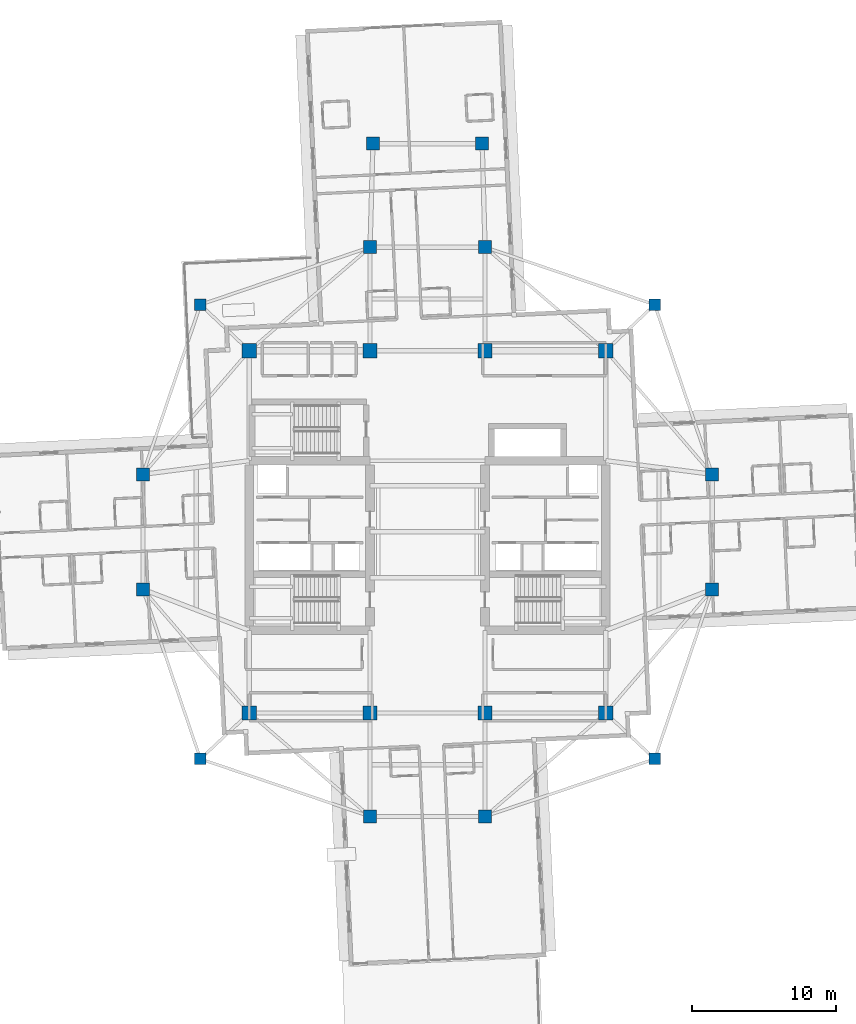
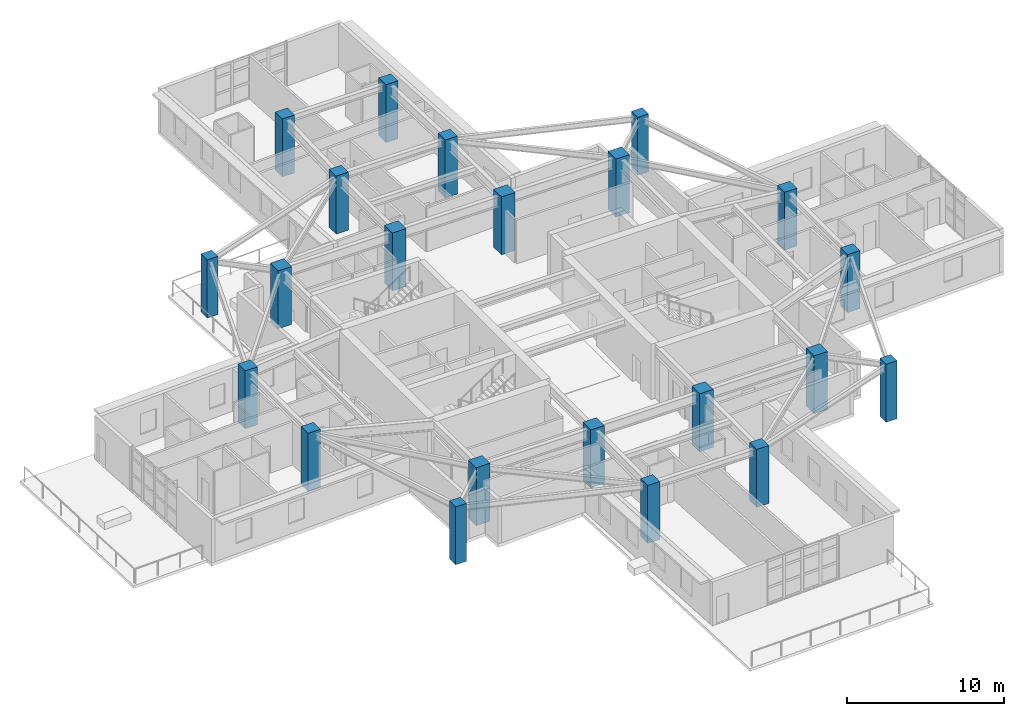
# One storey, part 1 of 22: 22 columns.
"""IFC4 building model written with IfcOpenShell, lengths in metres."""

from ifc_helpers import new_model, si_unit, direction, frame, origin, origin_2d, place, context, subcontext, project, spatial, rectangle, extrude, material, material_profile, profile_set, type_object, element, save


model = new_model("IFC4")

# Units and contexts
model_context = context("Model", 3, precision=1e-05, world=origin(), true_north=direction((0.0, 1.0)))
body_context = subcontext(model_context, "Body", "Model", "MODEL_VIEW")
ifc_project = project(units=[si_unit("LENGTHUNIT", "METRE"), si_unit("AREAUNIT", "SQUARE_METRE"), si_unit("VOLUMEUNIT", "CUBIC_METRE"), si_unit("PLANEANGLEUNIT", "RADIAN"), si_unit("MASSUNIT", "GRAM", prefix="KILO")], contexts=[model_context])

# Site, building, storey
site_placement = place(None, origin())
site = spatial("IfcSite", under=ifc_project, at=site_placement, CompositionType="ELEMENT")
building_placement = place(site_placement, origin())
building = spatial("IfcBuilding", under=site, at=building_placement, Name="Qingluan Cross Belvedere", CompositionType="ELEMENT")
storey_placement = place(building_placement, frame((0.0, 0.0, 196.800048828125)))
storey = spatial("IfcBuildingStorey", under=building, at=storey_placement, Name="L49", CompositionType="ELEMENT", Elevation=196.800048828125)

# Columns
ifc_material_1 = material(Name="Concrete C50", Category="concrete")
ifc_material_profile_1 = material_profile(ifc_material_1, rectangle(XDim=1.0, YDim=1.0, at=origin_2d()), Name="RC1000x1000")
ifc_profile_set_1 = profile_set([ifc_material_profile_1], Name="Concrete C50")
column_type_1 = type_object("IfcColumnType", Name="Column_RC1000x1000", PredefinedType="COLUMN", material=ifc_profile_set_1)
for number, where, z_axis, x_axis, name in (
    (1, (-12.39990234375, -12.60009765625, 0.0), (0.0, 0.0, 1.0), (1.0, 0.0, 0.0), "Hub column L49-HC1"),
    (2, (12.39990234375, -12.60009765625, 0.0), (0.0, 0.0, 1.0), (1.0, 0.0, 0.0), "Hub column L49-HC2"),
    (3, (12.39990234375, 12.60009765625, 0.0), (0.0, 0.0, 1.0), (1.0, 0.0, 0.0), "Hub column L49-HC3"),
    (4, (-12.39990234375, 12.60009765625, 0.0), (0.0, 0.0, 1.0), (1.0, 0.0, 0.0), "Hub column L49-HC4"),
    (5, (-4.0, -12.60009765625, 0.0), (0.0, 0.0, 1.0), (1.0, 0.0, 0.0), "Hub column L49-HC5"),
    (6, (4.0, -12.60009765625, 0.0), (0.0, 0.0, 1.0), (1.0, 0.0, 0.0), "Hub column L49-HC6"),
    (7, (4.0, 12.60009765625, 0.0), (0.0, 0.0, 1.0), (1.0, 0.0, 0.0), "Hub column L49-HC7"),
    (8, (-4.0, 12.60009765625, 0.0), (0.0, 0.0, 1.0), (1.0, 0.0, 0.0), "Hub column L49-HC8"),
):
    element("IfcColumn", number, at=place(storey_placement, frame(where, z_axis=z_axis, x_axis=x_axis)), inside=storey, type_object=column_type_1, Name=name, PredefinedType="COLUMN", context=body_context, shape_type="SweptSolid", body=[
        extrude(rectangle(XDim=1.0, YDim=1.0, at=origin_2d()), origin(), (0.0, 0.0, 1.0), 4.5),
    ])
ifc_material_2 = material(Name="Concrete C50", Category="concrete")
ifc_material_profile_2 = material_profile(ifc_material_2, rectangle(XDim=0.800048828125, YDim=0.800048828125, at=origin_2d()), Name="RC800x800")
ifc_profile_set_2 = profile_set([ifc_material_profile_2], Name="Concrete C50")
column_type_2 = type_object("IfcColumnType", Name="Column_RC800x800", PredefinedType="COLUMN", material=ifc_profile_set_2)
for number, where, z_axis, x_axis, name in (
    (9, (15.800048828125, 15.800048828125, 0.0), (0.0, 0.0, 1.0), (1.0, 0.0, 0.0), "Corner column L49-RNE"),
    (10, (-15.800048828125, 15.800048828125, 0.0), (0.0, 0.0, 1.0), (1.0, 0.0, 0.0), "Corner column L49-RNW"),
    (11, (-15.800048828125, -15.800048828125, 0.0), (0.0, 0.0, 1.0), (1.0, 0.0, 0.0), "Corner column L49-RSW"),
    (12, (15.800048828125, -15.800048828125, 0.0), (0.0, 0.0, 1.0), (1.0, 0.0, 0.0), "Corner column L49-RSE"),
):
    element("IfcColumn", number, at=place(storey_placement, frame(where, z_axis=z_axis, x_axis=x_axis)), inside=storey, type_object=column_type_2, Name=name, PredefinedType="COLUMN", context=body_context, shape_type="SweptSolid", body=[
        extrude(rectangle(XDim=0.800048828125, YDim=0.800048828125, at=origin_2d()), origin(), (0.0, 0.0, 1.0), 4.5),
    ])
ifc_material_3 = material(Name="Concrete C50", Category="concrete")
ifc_material_profile_3 = material_profile(ifc_material_3, rectangle(XDim=0.89990234375, YDim=0.89990234375, at=origin_2d()), Name="RC900x900")
ifc_profile_set_3 = profile_set([ifc_material_profile_3], Name="Concrete C50")
column_type_3 = type_object("IfcColumnType", Name="Column_RC900x900", PredefinedType="COLUMN", material=ifc_profile_set_3)
for number, where, z_axis, x_axis, name in (
    (13, (19.800048828125, -4.0, 0.0), (0.0, 0.0, 1.0), (1.0, 0.0, 0.0), "Arm column L49-EIA"),
    (14, (19.800048828125, 4.0, 0.0), (0.0, 0.0, 1.0), (1.0, 0.0, 0.0), "Arm column L49-EIB"),
    (15, (-19.800048828125, -4.0, 0.0), (0.0, 0.0, 1.0), (1.0, 0.0, 0.0), "Arm column L49-WIA"),
    (16, (-19.800048828125, 4.0, 0.0), (0.0, 0.0, 1.0), (1.0, 0.0, 0.0), "Arm column L49-WIB"),
    (17, (-4.0, -19.800048828125, 0.0), (0.0, 0.0, 1.0), (1.0, 0.0, 0.0), "Arm column L49-SIA"),
    (18, (4.0, -19.800048828125, 0.0), (0.0, 0.0, 1.0), (1.0, 0.0, 0.0), "Arm column L49-SIB"),
    (19, (-4.0, 19.800048828125, 0.0), (0.0, 0.0, 1.0), (1.0, 0.0, 0.0), "Arm column L49-NIA"),
    (20, (4.0, 19.800048828125, 0.0), (0.0, 0.0, 1.0), (1.0, 0.0, 0.0), "Arm column L49-NIB"),
    (21, (-3.800048828125, 27.0, 0.0), (0.0, 0.0, 1.0), (1.0, 0.0, 0.0), "Arm column L49-NOA"),
    (22, (3.800048828125, 27.0, 0.0), (0.0, 0.0, 1.0), (1.0, 0.0, 0.0), "Arm column L49-NOB"),
):
    element("IfcColumn", number, at=place(storey_placement, frame(where, z_axis=z_axis, x_axis=x_axis)), inside=storey, type_object=column_type_3, Name=name, PredefinedType="COLUMN", context=body_context, shape_type="SweptSolid", body=[
        extrude(rectangle(XDim=0.89990234375, YDim=0.89990234375, at=origin_2d()), origin(), (0.0, 0.0, 1.0), 4.5),
    ])

save(model, "model.ifc")
